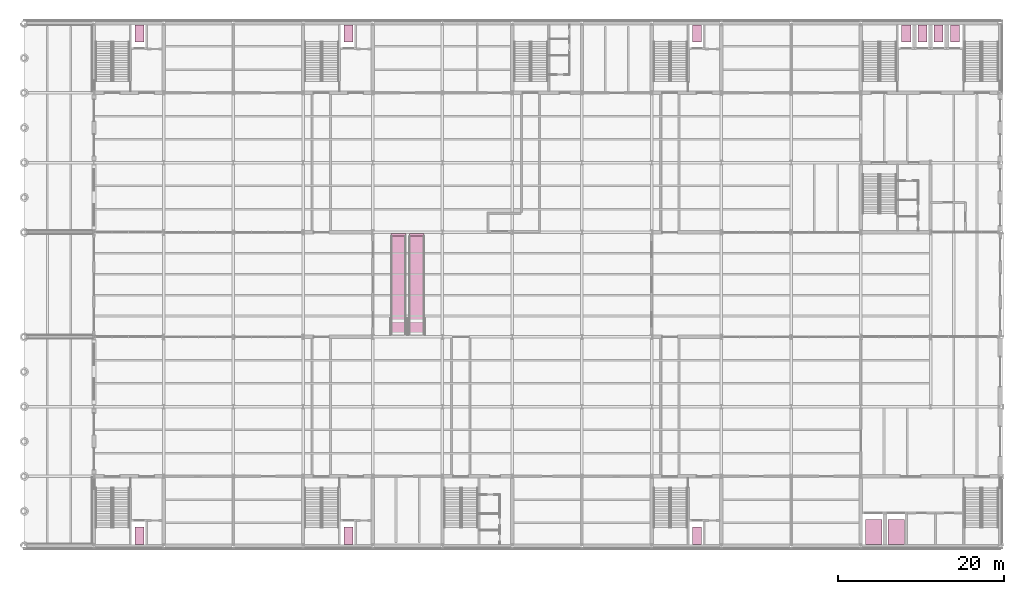
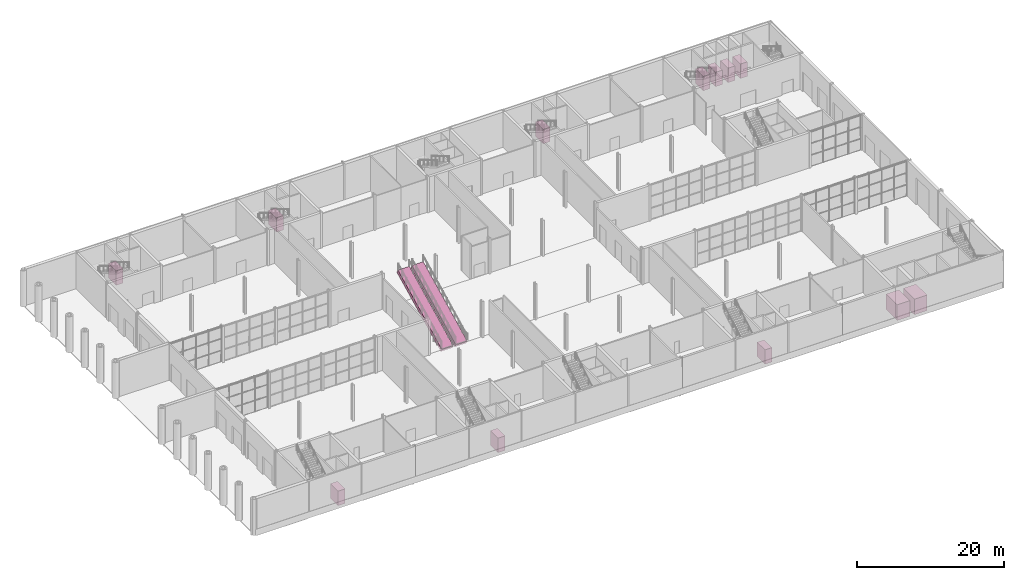
# One storey, part 55 of 55: 14 transport elements.
"""IFC4 building model written with IfcOpenShell, lengths in metres."""

from ifc_helpers import new_model, si_unit, direction, frame, origin, origin_2d, place, context, subcontext, project, spatial, rectangle, extrude, material, material_profile, profile_set, type_object, element, save


model = new_model("IFC4")

# Units and contexts
model_context = context("Model", 3, precision=1e-05, world=origin(), true_north=direction((0.0, 1.0)))
body_context = subcontext(model_context, "Body", "Model", "MODEL_VIEW")
ifc_project = project(units=[si_unit("LENGTHUNIT", "METRE"), si_unit("AREAUNIT", "SQUARE_METRE"), si_unit("VOLUMEUNIT", "CUBIC_METRE"), si_unit("PLANEANGLEUNIT", "RADIAN"), si_unit("MASSUNIT", "GRAM", prefix="KILO")], contexts=[model_context])

# Site, building, storey
site_placement = place(None, origin())
site = spatial("IfcSite", under=ifc_project, at=site_placement, CompositionType="ELEMENT")
building_placement = place(site_placement, origin())
building = spatial("IfcBuilding", under=site, at=building_placement, Name="Galleria Vessillo Department Store", CompositionType="ELEMENT")
storey_placement = place(building_placement, origin())
storey = spatial("IfcBuildingStorey", under=building, at=storey_placement, Name="L00", CompositionType="ELEMENT", Elevation=0.0)

# Transport elements
ifc_material_1 = material(Name="Steel S355 J2", Category="steel")
ifc_material_profile = material_profile(ifc_material_1, rectangle(XDim=1.800048828125, YDim=0.60009765625, at=origin_2d()), Name="Escalator truss 1800 x 600")
ifc_profile_set = profile_set([ifc_material_profile], Name="Steel S355 J2")
transport_element_type_1 = type_object("IfcTransportElementType", Name="Escalator truss 1400 mm steps", PredefinedType="ESCALATOR", material=ifc_profile_set)
for number, where, z_axis, x_axis, name in (
    (1, (45.10009765625, 25.532958984375, -0.34375), (0.0, 0.896136713165, 0.44377808792), (-1.0, 0.0, 0.0), "Escalator ES1 L00 to L01"),
    (2, (47.300048828125, 25.532958984375, -0.34375), (0.0, 0.896136713165, 0.44377808792), (-1.0, 0.0, 0.0), "Escalator ES2 L00 to L01"),
):
    element("IfcTransportElement", number, at=place(storey_placement, frame(where, z_axis=z_axis, x_axis=x_axis)), inside=storey, type_object=transport_element_type_1, Name=name, PredefinedType="ESCALATOR", context=body_context, shape_type="SweptSolid", body=[
        extrude(rectangle(XDim=1.800048828125, YDim=0.60009765625, at=origin_2d()), origin(), (0.0, 0.0, 1.0), 13.372802734375),
    ])
ifc_material_2 = material(Name="Stainless steel car panels", Category="steel")
transport_element_type_2 = type_object("IfcTransportElementType", Name="Goods lift car 3000 kg", PredefinedType="ELEVATOR", material=ifc_material_2)
for number, where, z_axis, x_axis, name in (
    (3, (102.35009765625, 1.699951171875, 0.0), (0.0, 0.0, 1.0), (1.0, 0.0, 0.0), "Lift GL1 car"),
    (4, (105.050048828125, 1.699951171875, 0.0), (0.0, 0.0, 1.0), (1.0, 0.0, 0.0), "Lift GL2 car"),
):
    element("IfcTransportElement", number, at=place(storey_placement, frame(where, z_axis=z_axis, x_axis=x_axis)), inside=storey, type_object=transport_element_type_2, Name=name, PredefinedType="ELEVATOR", context=body_context, shape_type="SweptSolid", body=[
        extrude(rectangle(XDim=2.0, YDim=3.0, at=origin_2d()), origin(), (0.0, 0.0, 1.0), 2.60009765625),
    ])
ifc_material_3 = material(Name="Stainless steel car panels", Category="steel")
transport_element_type_3 = type_object("IfcTransportElementType", Name="Passenger lift car 1000 kg", PredefinedType="ELEVATOR", material=ifc_material_3)
for number, where, z_axis, x_axis, name in (
    (5, (13.875, 1.25, 0.0), (0.0, 0.0, 1.0), (1.0, 0.0, 0.0), "Lift LP1 car"),
    (6, (13.875, 61.75, 0.0), (0.0, 0.0, 1.0), (1.0, 0.0, 0.0), "Lift LP2 car"),
    (7, (39.074951171875, 1.25, 0.0), (0.0, 0.0, 1.0), (1.0, 0.0, 0.0), "Lift LP3 car"),
    (8, (39.074951171875, 61.75, 0.0), (0.0, 0.0, 1.0), (1.0, 0.0, 0.0), "Lift LP4 car"),
    (9, (81.074951171875, 1.25, 0.0), (0.0, 0.0, 1.0), (1.0, 0.0, 0.0), "Lift LP5 car"),
    (10, (81.074951171875, 61.75, 0.0), (0.0, 0.0, 1.0), (1.0, 0.0, 0.0), "Lift LP6 car"),
):
    element("IfcTransportElement", number, at=place(storey_placement, frame(where, z_axis=z_axis, x_axis=x_axis)), inside=storey, type_object=transport_element_type_3, Name=name, PredefinedType="ELEVATOR", context=body_context, shape_type="SweptSolid", body=[
        extrude(rectangle(XDim=1.10009765625, YDim=2.10009765625, at=origin_2d()), origin(), (0.0, 0.0, 1.0), 2.39990234375),
    ])
ifc_material_4 = material(Name="Stainless steel car panels", Category="steel")
transport_element_type_4 = type_object("IfcTransportElementType", Name="Tower lift car 1000 kg", PredefinedType="ELEVATOR", material=ifc_material_4)
for number, where, z_axis, x_axis, name in (
    (11, (106.27490234375, 61.75, 0.0), (0.0, 0.0, 1.0), (1.0, 0.0, 0.0), "Lift T1 car"),
    (12, (108.22509765625, 61.75, 0.0), (0.0, 0.0, 1.0), (1.0, 0.0, 0.0), "Lift T2 car"),
    (13, (110.175048828125, 61.75, 0.0), (0.0, 0.0, 1.0), (1.0, 0.0, 0.0), "Lift T3 car"),
    (14, (112.125, 61.75, 0.0), (0.0, 0.0, 1.0), (1.0, 0.0, 0.0), "Lift T4 car"),
):
    element("IfcTransportElement", number, at=place(storey_placement, frame(where, z_axis=z_axis, x_axis=x_axis)), inside=storey, type_object=transport_element_type_4, Name=name, PredefinedType="ELEVATOR", context=body_context, shape_type="SweptSolid", body=[
        extrude(rectangle(XDim=1.10009765625, YDim=2.10009765625, at=origin_2d()), origin(), (0.0, 0.0, 1.0), 2.39990234375),
    ])

save(model, "model.ifc")
